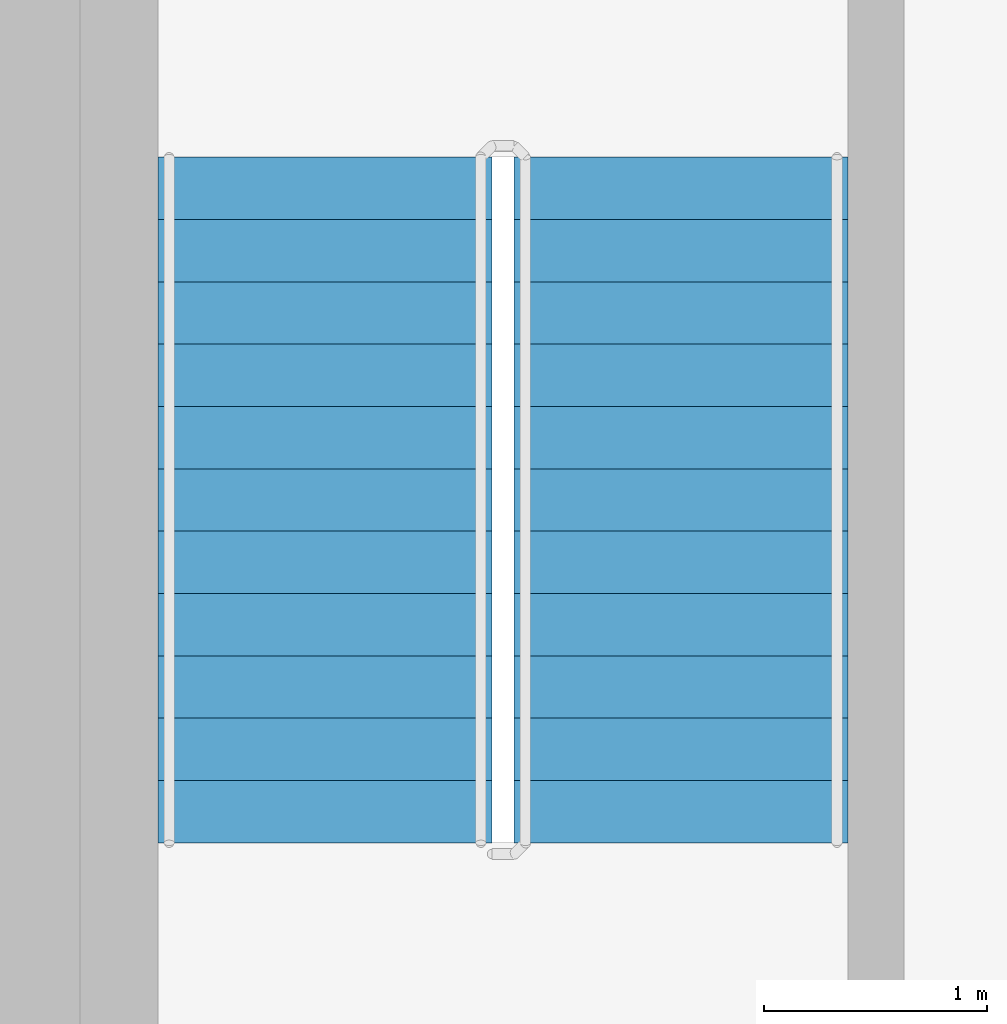
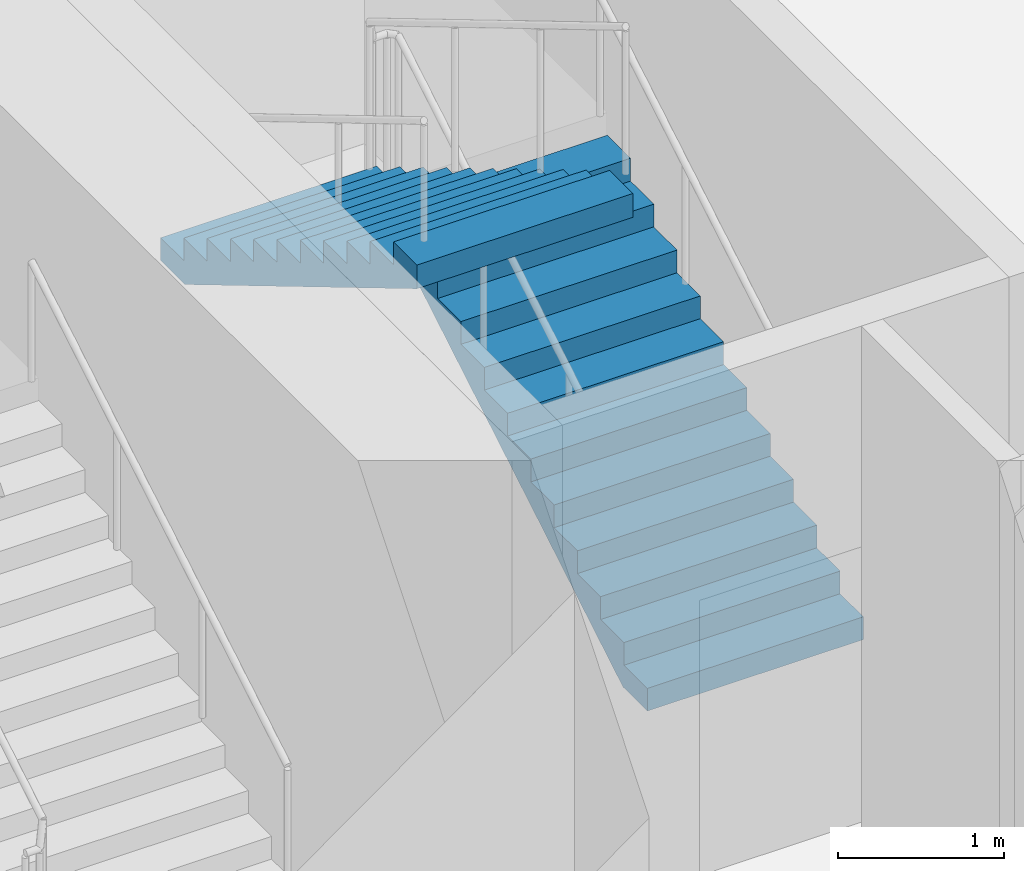
# One storey, part 15 of 17: 2 stair flights, 1 element without a shape of its own.
"""IFC4 building model written with IfcOpenShell, lengths in metres."""

from ifc_helpers import new_model, si_unit, direction, frame, origin, place, context, subcontext, project, spatial, triangles, source, transform, mapped, material, type_object, element, aggregate, save


model = new_model("IFC4")

# Units and contexts
model_context = context("Model", 3, precision=1e-05, world=origin(), true_north=direction((0.0, 1.0)))
body_context = subcontext(model_context, "Body", "Model", "MODEL_VIEW")
ifc_project = project(units=[si_unit("LENGTHUNIT", "METRE"), si_unit("AREAUNIT", "SQUARE_METRE"), si_unit("VOLUMEUNIT", "CUBIC_METRE"), si_unit("PLANEANGLEUNIT", "RADIAN"), si_unit("MASSUNIT", "GRAM", prefix="KILO")], contexts=[model_context])

# Site, building, storey
site_placement = place(None, origin())
site = spatial("IfcSite", under=ifc_project, at=site_placement, CompositionType="ELEMENT")
building_placement = place(site_placement, origin())
building = spatial("IfcBuilding", under=site, at=building_placement, Name="Kilnfold Tower and Market Hall", CompositionType="ELEMENT")
storey_placement = place(building_placement, frame((0.0, 0.0, 100.60009765625)))
storey = spatial("IfcBuildingStorey", under=building, at=storey_placement, Name="L23", CompositionType="ELEMENT", Elevation=100.60009765625)

# Stair, stair flights
ifc_material_1 = material(Name="Concrete C40/50", Category="concrete")
stair_type = type_object("IfcStairType", Name="CORE STAIR 1500", PredefinedType="HALF_TURN_STAIR", material=ifc_material_1)
stair_placement = place(storey_placement, origin())
stair = element("IfcStair", 1, at=stair_placement, inside=storey, type_object=stair_type, Name="L23 ST5", PredefinedType="HALF_TURN_STAIR")
ifc_material_2 = material(Name="Concrete C40/50", Category="concrete")
stair_flight_type = type_object("IfcStairFlightType", Name="CORE STAIR FLIGHT 1500", PredefinedType="STRAIGHT", material=ifc_material_2)
shared_shape = source(origin(), body_context, "Body", "Tessellation", [
    triangles([(0.0, 0.75, 0.0), (0.0, 0.65625, 0.0), (0.0, 0.5625, 0.0), (0.0, 0.46875, 0.0), (0.0, 0.375, 0.0), (0.0, 0.28125, 0.0), (0.0, 0.1875, 0.0), (0.0, 0.09375, 0.0), (0.0, 0.0, 0.0), (0.0, -0.09375, 0.0), (0.0, -0.1875, 0.0), (0.0, -0.28125, 0.0), (0.0, -0.375, 0.0), (0.0, -0.46875, 0.0), (0.0, -0.5625, 0.0), (0.0, -0.65625, 0.0), (0.0, -0.75, 0.0), (0.0, 0.75, 0.166748046875), (0.0, 0.65625, 0.166748046875), (0.0, 0.5625, 0.166748046875), (0.0, 0.46875, 0.166748046875), (0.0, 0.375, 0.166748046875), (0.0, 0.28125, 0.166748046875), (0.0, 0.1875, 0.166748046875), (0.0, 0.09375, 0.166748046875), (0.0, 0.0, 0.166748046875), (0.0, -0.09375, 0.166748046875), (0.0, -0.1875, 0.166748046875), (0.0, -0.28125, 0.166748046875), (0.0, -0.375, 0.166748046875), (0.0, -0.46875, 0.166748046875), (0.0, -0.5625, 0.166748046875), (0.0, -0.65625, 0.166748046875), (0.0, -0.75, 0.166748046875), (0.280029296875, 0.75, 0.166748046875), (0.280029296875, 0.65625, 0.166748046875), (0.280029296875, 0.5625, 0.166748046875), (0.280029296875, 0.46875, 0.166748046875), (0.280029296875, 0.375, 0.166748046875), (0.280029296875, 0.28125, 0.166748046875), (0.280029296875, 0.1875, 0.166748046875), (0.280029296875, 0.09375, 0.166748046875), (0.280029296875, 0.0, 0.166748046875), (0.280029296875, -0.09375, 0.166748046875), (0.280029296875, -0.1875, 0.166748046875), (0.280029296875, -0.28125, 0.166748046875), (0.280029296875, -0.375, 0.166748046875), (0.280029296875, -0.46875, 0.166748046875), (0.280029296875, -0.5625, 0.166748046875), (0.280029296875, -0.65625, 0.166748046875), (0.280029296875, -0.75, 0.166748046875), (0.280029296875, 0.75, 0.333251953125), (0.280029296875, 0.65625, 0.333251953125), (0.280029296875, 0.5625, 0.333251953125), (0.280029296875, 0.46875, 0.333251953125), (0.280029296875, 0.375, 0.333251953125), (0.280029296875, 0.28125, 0.333251953125), (0.280029296875, 0.1875, 0.333251953125), (0.280029296875, 0.09375, 0.333251953125), (0.280029296875, 0.0, 0.333251953125), (0.280029296875, -0.09375, 0.333251953125), (0.280029296875, -0.1875, 0.333251953125), (0.280029296875, -0.28125, 0.333251953125), (0.280029296875, -0.375, 0.333251953125), (0.280029296875, -0.46875, 0.333251953125), (0.280029296875, -0.5625, 0.333251953125), (0.280029296875, -0.65625, 0.333251953125), (0.280029296875, -0.75, 0.333251953125), (0.56005859375, 0.75, 0.333251953125), (0.56005859375, 0.65625, 0.333251953125), (0.56005859375, 0.5625, 0.333251953125), (0.56005859375, 0.46875, 0.333251953125), (0.56005859375, 0.375, 0.333251953125), (0.56005859375, 0.28125, 0.333251953125), (0.56005859375, 0.1875, 0.333251953125), (0.56005859375, 0.09375, 0.333251953125), (0.56005859375, 0.0, 0.333251953125), (0.56005859375, -0.09375, 0.333251953125), (0.56005859375, -0.1875, 0.333251953125), (0.56005859375, -0.28125, 0.333251953125), (0.56005859375, -0.375, 0.333251953125), (0.56005859375, -0.46875, 0.333251953125), (0.56005859375, -0.5625, 0.333251953125), (0.56005859375, -0.65625, 0.333251953125), (0.56005859375, -0.75, 0.333251953125), (0.56005859375, 0.75, 0.5), (0.56005859375, 0.65625, 0.5), (0.56005859375, 0.5625, 0.5), (0.56005859375, 0.46875, 0.5), (0.56005859375, 0.375, 0.5), (0.56005859375, 0.28125, 0.5), (0.56005859375, 0.1875, 0.5), (0.56005859375, 0.09375, 0.5), (0.56005859375, 0.0, 0.5), (0.56005859375, -0.09375, 0.5), (0.56005859375, -0.1875, 0.5), (0.56005859375, -0.28125, 0.5), (0.56005859375, -0.375, 0.5), (0.56005859375, -0.46875, 0.5), (0.56005859375, -0.5625, 0.5), (0.56005859375, -0.65625, 0.5), (0.56005859375, -0.75, 0.5), (0.840087890625, 0.75, 0.5), (0.840087890625, 0.65625, 0.5), (0.840087890625, 0.5625, 0.5), (0.840087890625, 0.46875, 0.5), (0.840087890625, 0.375, 0.5), (0.840087890625, 0.28125, 0.5), (0.840087890625, 0.1875, 0.5), (0.840087890625, 0.09375, 0.5), (0.840087890625, 0.0, 0.5), (0.840087890625, -0.09375, 0.5), (0.840087890625, -0.1875, 0.5), (0.840087890625, -0.28125, 0.5), (0.840087890625, -0.375, 0.5), (0.840087890625, -0.46875, 0.5), (0.840087890625, -0.5625, 0.5), (0.840087890625, -0.65625, 0.5), (0.840087890625, -0.75, 0.5), (0.840087890625, 0.75, 0.666748046875), (0.840087890625, 0.65625, 0.666748046875), (0.840087890625, 0.5625, 0.666748046875), (0.840087890625, 0.46875, 0.666748046875), (0.840087890625, 0.375, 0.666748046875), (0.840087890625, 0.28125, 0.666748046875), (0.840087890625, 0.1875, 0.666748046875), (0.840087890625, 0.09375, 0.666748046875), (0.840087890625, 0.0, 0.666748046875), (0.840087890625, -0.09375, 0.666748046875), (0.840087890625, -0.1875, 0.666748046875), (0.840087890625, -0.28125, 0.666748046875), (0.840087890625, -0.375, 0.666748046875), (0.840087890625, -0.46875, 0.666748046875), (0.840087890625, -0.5625, 0.666748046875), (0.840087890625, -0.65625, 0.666748046875), (0.840087890625, -0.75, 0.666748046875), (1.1201171875, 0.75, 0.666748046875), (1.1201171875, 0.65625, 0.666748046875), (1.1201171875, 0.5625, 0.666748046875), (1.1201171875, 0.46875, 0.666748046875), (1.1201171875, 0.375, 0.666748046875), (1.1201171875, 0.28125, 0.666748046875), (1.1201171875, 0.1875, 0.666748046875), (1.1201171875, 0.09375, 0.666748046875), (1.1201171875, 0.0, 0.666748046875), (1.1201171875, -0.09375, 0.666748046875), (1.1201171875, -0.1875, 0.666748046875), (1.1201171875, -0.28125, 0.666748046875), (1.1201171875, -0.375, 0.666748046875), (1.1201171875, -0.46875, 0.666748046875), (1.1201171875, -0.5625, 0.666748046875), (1.1201171875, -0.65625, 0.666748046875), (1.1201171875, -0.75, 0.666748046875), (1.1201171875, 0.75, 0.833251953125), (1.1201171875, 0.65625, 0.833251953125), (1.1201171875, 0.5625, 0.833251953125), (1.1201171875, 0.46875, 0.833251953125), (1.1201171875, 0.375, 0.833251953125), (1.1201171875, 0.28125, 0.833251953125), (1.1201171875, 0.1875, 0.833251953125), (1.1201171875, 0.09375, 0.833251953125), (1.1201171875, 0.0, 0.833251953125), (1.1201171875, -0.09375, 0.833251953125), (1.1201171875, -0.1875, 0.833251953125), (1.1201171875, -0.28125, 0.833251953125), (1.1201171875, -0.375, 0.833251953125), (1.1201171875, -0.46875, 0.833251953125), (1.1201171875, -0.5625, 0.833251953125), (1.1201171875, -0.65625, 0.833251953125), (1.1201171875, -0.75, 0.833251953125), (1.39990234375, 0.75, 0.833251953125), (1.39990234375, 0.65625, 0.833251953125), (1.39990234375, 0.5625, 0.833251953125), (1.39990234375, 0.46875, 0.833251953125), (1.39990234375, 0.375, 0.833251953125), (1.39990234375, 0.28125, 0.833251953125), (1.39990234375, 0.1875, 0.833251953125), (1.39990234375, 0.09375, 0.833251953125), (1.39990234375, 0.0, 0.833251953125), (1.39990234375, -0.09375, 0.833251953125), (1.39990234375, -0.1875, 0.833251953125), (1.39990234375, -0.28125, 0.833251953125), (1.39990234375, -0.375, 0.833251953125), (1.39990234375, -0.46875, 0.833251953125), (1.39990234375, -0.5625, 0.833251953125), (1.39990234375, -0.65625, 0.833251953125), (1.39990234375, -0.75, 0.833251953125), (1.39990234375, 0.75, 1.0), (1.39990234375, 0.65625, 1.0), (1.39990234375, 0.5625, 1.0), (1.39990234375, 0.46875, 1.0), (1.39990234375, 0.375, 1.0), (1.39990234375, 0.28125, 1.0), (1.39990234375, 0.1875, 1.0), (1.39990234375, 0.09375, 1.0), (1.39990234375, 0.0, 1.0), (1.39990234375, -0.09375, 1.0), (1.39990234375, -0.1875, 1.0), (1.39990234375, -0.28125, 1.0), (1.39990234375, -0.375, 1.0), (1.39990234375, -0.46875, 1.0), (1.39990234375, -0.5625, 1.0), (1.39990234375, -0.65625, 1.0), (1.39990234375, -0.75, 1.0), (1.679931640625, 0.75, 1.0), (1.679931640625, 0.65625, 1.0), (1.679931640625, 0.5625, 1.0), (1.679931640625, 0.46875, 1.0), (1.679931640625, 0.375, 1.0), (1.679931640625, 0.28125, 1.0), (1.679931640625, 0.1875, 1.0), (1.679931640625, 0.09375, 1.0), (1.679931640625, 0.0, 1.0), (1.679931640625, -0.09375, 1.0), (1.679931640625, -0.1875, 1.0), (1.679931640625, -0.28125, 1.0), (1.679931640625, -0.375, 1.0), (1.679931640625, -0.46875, 1.0), (1.679931640625, -0.5625, 1.0), (1.679931640625, -0.65625, 1.0), (1.679931640625, -0.75, 1.0), (1.679931640625, 0.75, 1.166748046875), (1.679931640625, 0.65625, 1.166748046875), (1.679931640625, 0.5625, 1.166748046875), (1.679931640625, 0.46875, 1.166748046875), (1.679931640625, 0.375, 1.166748046875), (1.679931640625, 0.28125, 1.166748046875), (1.679931640625, 0.1875, 1.166748046875), (1.679931640625, 0.09375, 1.166748046875), (1.679931640625, 0.0, 1.166748046875), (1.679931640625, -0.09375, 1.166748046875), (1.679931640625, -0.1875, 1.166748046875), (1.679931640625, -0.28125, 1.166748046875), (1.679931640625, -0.375, 1.166748046875), (1.679931640625, -0.46875, 1.166748046875), (1.679931640625, -0.5625, 1.166748046875), (1.679931640625, -0.65625, 1.166748046875), (1.679931640625, -0.75, 1.166748046875), (1.9599609375, 0.75, 1.166748046875), (1.9599609375, 0.65625, 1.166748046875), (1.9599609375, 0.5625, 1.166748046875), (1.9599609375, 0.46875, 1.166748046875), (1.9599609375, 0.375, 1.166748046875), (1.9599609375, 0.28125, 1.166748046875), (1.9599609375, 0.1875, 1.166748046875), (1.9599609375, 0.09375, 1.166748046875), (1.9599609375, 0.0, 1.166748046875), (1.9599609375, -0.09375, 1.166748046875), (1.9599609375, -0.1875, 1.166748046875), (1.9599609375, -0.28125, 1.166748046875), (1.9599609375, -0.375, 1.166748046875), (1.9599609375, -0.46875, 1.166748046875), (1.9599609375, -0.5625, 1.166748046875), (1.9599609375, -0.65625, 1.166748046875), (1.9599609375, -0.75, 1.166748046875), (1.9599609375, 0.75, 1.333251953125), (1.9599609375, 0.65625, 1.333251953125), (1.9599609375, 0.5625, 1.333251953125), (1.9599609375, 0.46875, 1.333251953125), (1.9599609375, 0.375, 1.333251953125), (1.9599609375, 0.28125, 1.333251953125), (1.9599609375, 0.1875, 1.333251953125), (1.9599609375, 0.09375, 1.333251953125), (1.9599609375, 0.0, 1.333251953125), (1.9599609375, -0.09375, 1.333251953125), (1.9599609375, -0.1875, 1.333251953125), (1.9599609375, -0.28125, 1.333251953125), (1.9599609375, -0.375, 1.333251953125), (1.9599609375, -0.46875, 1.333251953125), (1.9599609375, -0.5625, 1.333251953125), (1.9599609375, -0.65625, 1.333251953125), (1.9599609375, -0.75, 1.333251953125), (2.239990234375, 0.75, 1.333251953125), (2.239990234375, 0.65625, 1.333251953125), (2.239990234375, 0.5625, 1.333251953125), (2.239990234375, 0.46875, 1.333251953125), (2.239990234375, 0.375, 1.333251953125), (2.239990234375, 0.28125, 1.333251953125), (2.239990234375, 0.1875, 1.333251953125), (2.239990234375, 0.09375, 1.333251953125), (2.239990234375, 0.0, 1.333251953125), (2.239990234375, -0.09375, 1.333251953125), (2.239990234375, -0.1875, 1.333251953125), (2.239990234375, -0.28125, 1.333251953125), (2.239990234375, -0.375, 1.333251953125), (2.239990234375, -0.46875, 1.333251953125), (2.239990234375, -0.5625, 1.333251953125), (2.239990234375, -0.65625, 1.333251953125), (2.239990234375, -0.75, 1.333251953125), (2.239990234375, 0.75, 1.5), (2.239990234375, 0.65625, 1.5), (2.239990234375, 0.5625, 1.5), (2.239990234375, 0.46875, 1.5), (2.239990234375, 0.375, 1.5), (2.239990234375, 0.28125, 1.5), (2.239990234375, 0.1875, 1.5), (2.239990234375, 0.09375, 1.5), (2.239990234375, 0.0, 1.5), (2.239990234375, -0.09375, 1.5), (2.239990234375, -0.1875, 1.5), (2.239990234375, -0.28125, 1.5), (2.239990234375, -0.375, 1.5), (2.239990234375, -0.46875, 1.5), (2.239990234375, -0.5625, 1.5), (2.239990234375, -0.65625, 1.5), (2.239990234375, -0.75, 1.5), (2.52001953125, 0.75, 1.5), (2.52001953125, 0.65625, 1.5), (2.52001953125, 0.5625, 1.5), (2.52001953125, 0.46875, 1.5), (2.52001953125, 0.375, 1.5), (2.52001953125, 0.28125, 1.5), (2.52001953125, 0.1875, 1.5), (2.52001953125, 0.09375, 1.5), (2.52001953125, 0.0, 1.5), (2.52001953125, -0.09375, 1.5), (2.52001953125, -0.1875, 1.5), (2.52001953125, -0.28125, 1.5), (2.52001953125, -0.375, 1.5), (2.52001953125, -0.46875, 1.5), (2.52001953125, -0.5625, 1.5), (2.52001953125, -0.65625, 1.5), (2.52001953125, -0.75, 1.5), (2.52001953125, 0.75, 1.666748046875), (2.52001953125, 0.65625, 1.666748046875), (2.52001953125, 0.5625, 1.666748046875), (2.52001953125, 0.46875, 1.666748046875), (2.52001953125, 0.375, 1.666748046875), (2.52001953125, 0.28125, 1.666748046875), (2.52001953125, 0.1875, 1.666748046875), (2.52001953125, 0.09375, 1.666748046875), (2.52001953125, 0.0, 1.666748046875), (2.52001953125, -0.09375, 1.666748046875), (2.52001953125, -0.1875, 1.666748046875), (2.52001953125, -0.28125, 1.666748046875), (2.52001953125, -0.375, 1.666748046875), (2.52001953125, -0.46875, 1.666748046875), (2.52001953125, -0.5625, 1.666748046875), (2.52001953125, -0.65625, 1.666748046875), (2.52001953125, -0.75, 1.666748046875), (2.800048828125, 0.75, 1.666748046875), (2.800048828125, 0.65625, 1.666748046875), (2.800048828125, 0.5625, 1.666748046875), (2.800048828125, 0.46875, 1.666748046875), (2.800048828125, 0.375, 1.666748046875), (2.800048828125, 0.28125, 1.666748046875), (2.800048828125, 0.1875, 1.666748046875), (2.800048828125, 0.09375, 1.666748046875), (2.800048828125, 0.0, 1.666748046875), (2.800048828125, -0.09375, 1.666748046875), (2.800048828125, -0.1875, 1.666748046875), (2.800048828125, -0.28125, 1.666748046875), (2.800048828125, -0.375, 1.666748046875), (2.800048828125, -0.46875, 1.666748046875), (2.800048828125, -0.5625, 1.666748046875), (2.800048828125, -0.65625, 1.666748046875), (2.800048828125, -0.75, 1.666748046875), (2.800048828125, 0.75, 1.833251953125), (2.800048828125, 0.65625, 1.833251953125), (2.800048828125, 0.5625, 1.833251953125), (2.800048828125, 0.46875, 1.833251953125), (2.800048828125, 0.375, 1.833251953125), (2.800048828125, 0.28125, 1.833251953125), (2.800048828125, 0.1875, 1.833251953125), (2.800048828125, 0.09375, 1.833251953125), (2.800048828125, 0.0, 1.833251953125), (2.800048828125, -0.09375, 1.833251953125), (2.800048828125, -0.1875, 1.833251953125), (2.800048828125, -0.28125, 1.833251953125), (2.800048828125, -0.375, 1.833251953125), (2.800048828125, -0.46875, 1.833251953125), (2.800048828125, -0.5625, 1.833251953125), (2.800048828125, -0.65625, 1.833251953125), (2.800048828125, -0.75, 1.833251953125), (3.080078125, 0.75, 1.833251953125), (3.080078125, 0.65625, 1.833251953125), (3.080078125, 0.5625, 1.833251953125), (3.080078125, 0.46875, 1.833251953125), (3.080078125, 0.375, 1.833251953125), (3.080078125, 0.28125, 1.833251953125), (3.080078125, 0.1875, 1.833251953125), (3.080078125, 0.09375, 1.833251953125), (3.080078125, 0.0, 1.833251953125), (3.080078125, -0.09375, 1.833251953125), (3.080078125, -0.1875, 1.833251953125), (3.080078125, -0.28125, 1.833251953125), (3.080078125, -0.375, 1.833251953125), (3.080078125, -0.46875, 1.833251953125), (3.080078125, -0.5625, 1.833251953125), (3.080078125, -0.65625, 1.833251953125), (3.080078125, -0.75, 1.833251953125), (3.080078125, 0.75, 1.658935546875), (3.080078125, 0.65625, 1.658935546875), (3.080078125, 0.5625, 1.658935546875), (3.080078125, 0.46875, 1.658935546875), (3.080078125, 0.375, 1.658935546875), (3.080078125, 0.28125, 1.658935546875), (3.080078125, 0.1875, 1.658935546875), (3.080078125, 0.09375, 1.658935546875), (3.080078125, 0.0, 1.658935546875), (3.080078125, -0.09375, 1.658935546875), (3.080078125, -0.1875, 1.658935546875), (3.080078125, -0.28125, 1.658935546875), (3.080078125, -0.375, 1.658935546875), (3.080078125, -0.46875, 1.658935546875), (3.080078125, -0.5625, 1.658935546875), (3.080078125, -0.65625, 1.658935546875), (3.080078125, -0.75, 1.658935546875), (0.29296875, 0.75, 0.0), (0.29296875, 0.65625, 0.0), (0.29296875, 0.5625, 0.0), (0.29296875, 0.46875, 0.0), (0.29296875, 0.375, 0.0), (0.29296875, 0.28125, 0.0), (0.29296875, 0.1875, 0.0), (0.29296875, 0.09375, 0.0), (0.29296875, 0.0, 0.0), (0.29296875, -0.09375, 0.0), (0.29296875, -0.1875, 0.0), (0.29296875, -0.28125, 0.0), (0.29296875, -0.375, 0.0), (0.29296875, -0.46875, 0.0), (0.29296875, -0.5625, 0.0), (0.29296875, -0.65625, 0.0), (0.29296875, -0.75, 0.0)], [[1, 392, 409], [17, 425, 408], [392, 358, 375], [408, 391, 374], [392, 341, 358], [408, 374, 357], [392, 324, 341], [408, 357, 340], [392, 307, 324], [408, 340, 323], [307, 273, 290], [323, 306, 289], [392, 273, 307], [408, 323, 289], [273, 239, 256], [289, 272, 255], [392, 239, 273], [408, 289, 255], [239, 205, 222], [255, 238, 221], [392, 205, 239], [408, 255, 221], [205, 171, 188], [221, 204, 187], [392, 171, 205], [408, 221, 187], [171, 137, 154], [187, 170, 153], [392, 137, 171], [408, 187, 153], [137, 103, 120], [153, 136, 119], [392, 103, 137], [408, 153, 119], [103, 69, 86], [119, 102, 85], [392, 69, 103], [408, 119, 85], [1, 69, 392], [17, 408, 85], [69, 35, 52], [85, 68, 51], [1, 35, 69], [17, 85, 51], [35, 1, 18], [51, 34, 17], [1, 19, 18], [1, 2, 19], [2, 20, 19], [2, 3, 20], [3, 21, 20], [3, 4, 21], [4, 22, 21], [4, 5, 22], [5, 23, 22], [5, 6, 23], [6, 24, 23], [6, 7, 24], [7, 25, 24], [7, 8, 25], [8, 26, 25], [8, 9, 26], [9, 27, 26], [9, 10, 27], [10, 28, 27], [10, 11, 28], [11, 29, 28], [11, 12, 29], [12, 30, 29], [12, 13, 30], [13, 31, 30], [13, 14, 31], [14, 32, 31], [14, 15, 32], [15, 33, 32], [15, 16, 33], [16, 34, 33], [16, 17, 34], [18, 36, 35], [18, 19, 36], [19, 37, 36], [19, 20, 37], [20, 38, 37], [20, 21, 38], [21, 39, 38], [21, 22, 39], [22, 40, 39], [22, 23, 40], [23, 41, 40], [23, 24, 41], [24, 42, 41], [24, 25, 42], [25, 43, 42], [25, 26, 43], [26, 44, 43], [26, 27, 44], [27, 45, 44], [27, 28, 45], [28, 46, 45], [28, 29, 46], [29, 47, 46], [29, 30, 47], [30, 48, 47], [30, 31, 48], [31, 49, 48], [31, 32, 49], [32, 50, 49], [32, 33, 50], [33, 51, 50], [33, 34, 51], [35, 53, 52], [35, 36, 53], [36, 54, 53], [36, 37, 54], [37, 55, 54], [37, 38, 55], [38, 56, 55], [38, 39, 56], [39, 57, 56], [39, 40, 57], [40, 58, 57], [40, 41, 58], [41, 59, 58], [41, 42, 59], [42, 60, 59], [42, 43, 60], [43, 61, 60], [43, 44, 61], [44, 62, 61], [44, 45, 62], [45, 63, 62], [45, 46, 63], [46, 64, 63], [46, 47, 64], [47, 65, 64], [47, 48, 65], [48, 66, 65], [48, 49, 66], [49, 67, 66], [49, 50, 67], [50, 68, 67], [50, 51, 68], [52, 70, 69], [52, 53, 70], [53, 71, 70], [53, 54, 71], [54, 72, 71], [54, 55, 72], [55, 73, 72], [55, 56, 73], [56, 74, 73], [56, 57, 74], [57, 75, 74], [57, 58, 75], [58, 76, 75], [58, 59, 76], [59, 77, 76], [59, 60, 77], [60, 78, 77], [60, 61, 78], [61, 79, 78], [61, 62, 79], [62, 80, 79], [62, 63, 80], [63, 81, 80], [63, 64, 81], [64, 82, 81], [64, 65, 82], [65, 83, 82], [65, 66, 83], [66, 84, 83], [66, 67, 84], [67, 85, 84], [67, 68, 85], [69, 87, 86], [69, 70, 87], [70, 88, 87], [70, 71, 88], [71, 89, 88], [71, 72, 89], [72, 90, 89], [72, 73, 90], [73, 91, 90], [73, 74, 91], [74, 92, 91], [74, 75, 92], [75, 93, 92], [75, 76, 93], [76, 94, 93], [76, 77, 94], [77, 95, 94], [77, 78, 95], [78, 96, 95], [78, 79, 96], [79, 97, 96], [79, 80, 97], [80, 98, 97], [80, 81, 98], [81, 99, 98], [81, 82, 99], [82, 100, 99], [82, 83, 100], [83, 101, 100], [83, 84, 101], [84, 102, 101], [84, 85, 102], [86, 104, 103], [86, 87, 104], [87, 105, 104], [87, 88, 105], [88, 106, 105], [88, 89, 106], [89, 107, 106], [89, 90, 107], [90, 108, 107], [90, 91, 108], [91, 109, 108], [91, 92, 109], [92, 110, 109], [92, 93, 110], [93, 111, 110], [93, 94, 111], [94, 112, 111], [94, 95, 112], [95, 113, 112], [95, 96, 113], [96, 114, 113], [96, 97, 114], [97, 115, 114], [97, 98, 115], [98, 116, 115], [98, 99, 116], [99, 117, 116], [99, 100, 117], [100, 118, 117], [100, 101, 118], [101, 119, 118], [101, 102, 119], [103, 121, 120], [103, 104, 121], [104, 122, 121], [104, 105, 122], [105, 123, 122], [105, 106, 123], [106, 124, 123], [106, 107, 124], [107, 125, 124], [107, 108, 125], [108, 126, 125], [108, 109, 126], [109, 127, 126], [109, 110, 127], [110, 128, 127], [110, 111, 128], [111, 129, 128], [111, 112, 129], [112, 130, 129], [112, 113, 130], [113, 131, 130], [113, 114, 131], [114, 132, 131], [114, 115, 132], [115, 133, 132], [115, 116, 133], [116, 134, 133], [116, 117, 134], [117, 135, 134], [117, 118, 135], [118, 136, 135], [118, 119, 136], [120, 138, 137], [120, 121, 138], [121, 139, 138], [121, 122, 139], [122, 140, 139], [122, 123, 140], [123, 141, 140], [123, 124, 141], [124, 142, 141], [124, 125, 142], [125, 143, 142], [125, 126, 143], [126, 144, 143], [126, 127, 144], [127, 145, 144], [127, 128, 145], [128, 146, 145], [128, 129, 146], [129, 147, 146], [129, 130, 147], [130, 148, 147], [130, 131, 148], [131, 149, 148], [131, 132, 149], [132, 150, 149], [132, 133, 150], [133, 151, 150], [133, 134, 151], [134, 152, 151], [134, 135, 152], [135, 153, 152], [135, 136, 153], [137, 155, 154], [137, 138, 155], [138, 156, 155], [138, 139, 156], [139, 157, 156], [139, 140, 157], [140, 158, 157], [140, 141, 158], [141, 159, 158], [141, 142, 159], [142, 160, 159], [142, 143, 160], [143, 161, 160], [143, 144, 161], [144, 162, 161], [144, 145, 162], [145, 163, 162], [145, 146, 163], [146, 164, 163], [146, 147, 164], [147, 165, 164], [147, 148, 165], [148, 166, 165], [148, 149, 166], [149, 167, 166], [149, 150, 167], [150, 168, 167], [150, 151, 168], [151, 169, 168], [151, 152, 169], [152, 170, 169], [152, 153, 170], [154, 172, 171], [154, 155, 172], [155, 173, 172], [155, 156, 173], [156, 174, 173], [156, 157, 174], [157, 175, 174], [157, 158, 175], [158, 176, 175], [158, 159, 176], [159, 177, 176], [159, 160, 177], [160, 178, 177], [160, 161, 178], [161, 179, 178], [161, 162, 179], [162, 180, 179], [162, 163, 180], [163, 181, 180], [163, 164, 181], [164, 182, 181], [164, 165, 182], [165, 183, 182], [165, 166, 183], [166, 184, 183], [166, 167, 184], [167, 185, 184], [167, 168, 185], [168, 186, 185], [168, 169, 186], [169, 187, 186], [169, 170, 187], [171, 189, 188], [171, 172, 189], [172, 190, 189], [172, 173, 190], [173, 191, 190], [173, 174, 191], [174, 192, 191], [174, 175, 192], [175, 193, 192], [175, 176, 193], [176, 194, 193], [176, 177, 194], [177, 195, 194], [177, 178, 195], [178, 196, 195], [178, 179, 196], [179, 197, 196], [179, 180, 197], [180, 198, 197], [180, 181, 198], [181, 199, 198], [181, 182, 199], [182, 200, 199], [182, 183, 200], [183, 201, 200], [183, 184, 201], [184, 202, 201], [184, 185, 202], [185, 203, 202], [185, 186, 203], [186, 204, 203], [186, 187, 204], [188, 206, 205], [188, 189, 206], [189, 207, 206], [189, 190, 207], [190, 208, 207], [190, 191, 208], [191, 209, 208], [191, 192, 209], [192, 210, 209], [192, 193, 210], [193, 211, 210], [193, 194, 211], [194, 212, 211], [194, 195, 212], [195, 213, 212], [195, 196, 213], [196, 214, 213], [196, 197, 214], [197, 215, 214], [197, 198, 215], [198, 216, 215], [198, 199, 216], [199, 217, 216], [199, 200, 217], [200, 218, 217], [200, 201, 218], [201, 219, 218], [201, 202, 219], [202, 220, 219], [202, 203, 220], [203, 221, 220], [203, 204, 221], [205, 223, 222], [205, 206, 223], [206, 224, 223], [206, 207, 224], [207, 225, 224], [207, 208, 225], [208, 226, 225], [208, 209, 226], [209, 227, 226], [209, 210, 227], [210, 228, 227], [210, 211, 228], [211, 229, 228], [211, 212, 229], [212, 230, 229], [212, 213, 230], [213, 231, 230], [213, 214, 231], [214, 232, 231], [214, 215, 232], [215, 233, 232], [215, 216, 233], [216, 234, 233], [216, 217, 234], [217, 235, 234], [217, 218, 235], [218, 236, 235], [218, 219, 236], [219, 237, 236], [219, 220, 237], [220, 238, 237], [220, 221, 238], [222, 240, 239], [222, 223, 240], [223, 241, 240], [223, 224, 241], [224, 242, 241], [224, 225, 242], [225, 243, 242], [225, 226, 243], [226, 244, 243], [226, 227, 244], [227, 245, 244], [227, 228, 245], [228, 246, 245], [228, 229, 246], [229, 247, 246], [229, 230, 247], [230, 248, 247], [230, 231, 248], [231, 249, 248], [231, 232, 249], [232, 250, 249], [232, 233, 250], [233, 251, 250], [233, 234, 251], [234, 252, 251], [234, 235, 252], [235, 253, 252], [235, 236, 253], [236, 254, 253], [236, 237, 254], [237, 255, 254], [237, 238, 255], [239, 257, 256], [239, 240, 257], [240, 258, 257], [240, 241, 258], [241, 259, 258], [241, 242, 259], [242, 260, 259], [242, 243, 260], [243, 261, 260], [243, 244, 261], [244, 262, 261], [244, 245, 262], [245, 263, 262], [245, 246, 263], [246, 264, 263], [246, 247, 264], [247, 265, 264], [247, 248, 265], [248, 266, 265], [248, 249, 266], [249, 267, 266], [249, 250, 267], [250, 268, 267], [250, 251, 268], [251, 269, 268], [251, 252, 269], [252, 270, 269], [252, 253, 270], [253, 271, 270], [253, 254, 271], [254, 272, 271], [254, 255, 272], [256, 274, 273], [256, 257, 274], [257, 275, 274], [257, 258, 275], [258, 276, 275], [258, 259, 276], [259, 277, 276], [259, 260, 277], [260, 278, 277], [260, 261, 278], [261, 279, 278], [261, 262, 279], [262, 280, 279], [262, 263, 280], [263, 281, 280], [263, 264, 281], [264, 282, 281], [264, 265, 282], [265, 283, 282], [265, 266, 283], [266, 284, 283], [266, 267, 284], [267, 285, 284], [267, 268, 285], [268, 286, 285], [268, 269, 286], [269, 287, 286], [269, 270, 287], [270, 288, 287], [270, 271, 288], [271, 289, 288], [271, 272, 289], [273, 291, 290], [273, 274, 291], [274, 292, 291], [274, 275, 292], [275, 293, 292], [275, 276, 293], [276, 294, 293], [276, 277, 294], [277, 295, 294], [277, 278, 295], [278, 296, 295], [278, 279, 296], [279, 297, 296], [279, 280, 297], [280, 298, 297], [280, 281, 298], [281, 299, 298], [281, 282, 299], [282, 300, 299], [282, 283, 300], [283, 301, 300], [283, 284, 301], [284, 302, 301], [284, 285, 302], [285, 303, 302], [285, 286, 303], [286, 304, 303], [286, 287, 304], [287, 305, 304], [287, 288, 305], [288, 306, 305], [288, 289, 306], [290, 308, 307], [290, 291, 308], [291, 309, 308], [291, 292, 309], [292, 310, 309], [292, 293, 310], [293, 311, 310], [293, 294, 311], [294, 312, 311], [294, 295, 312], [295, 313, 312], [295, 296, 313], [296, 314, 313], [296, 297, 314], [297, 315, 314], [297, 298, 315], [298, 316, 315], [298, 299, 316], [299, 317, 316], [299, 300, 317], [300, 318, 317], [300, 301, 318], [301, 319, 318], [301, 302, 319], [302, 320, 319], [302, 303, 320], [303, 321, 320], [303, 304, 321], [304, 322, 321], [304, 305, 322], [305, 323, 322], [305, 306, 323], [307, 325, 324], [307, 308, 325], [308, 326, 325], [308, 309, 326], [309, 327, 326], [309, 310, 327], [310, 328, 327], [310, 311, 328], [311, 329, 328], [311, 312, 329], [312, 330, 329], [312, 313, 330], [313, 331, 330], [313, 314, 331], [314, 332, 331], [314, 315, 332], [315, 333, 332], [315, 316, 333], [316, 334, 333], [316, 317, 334], [317, 335, 334], [317, 318, 335], [318, 336, 335], [318, 319, 336], [319, 337, 336], [319, 320, 337], [320, 338, 337], [320, 321, 338], [321, 339, 338], [321, 322, 339], [322, 340, 339], [322, 323, 340], [324, 342, 341], [324, 325, 342], [325, 343, 342], [325, 326, 343], [326, 344, 343], [326, 327, 344], [327, 345, 344], [327, 328, 345], [328, 346, 345], [328, 329, 346], [329, 347, 346], [329, 330, 347], [330, 348, 347], [330, 331, 348], [331, 349, 348], [331, 332, 349], [332, 350, 349], [332, 333, 350], [333, 351, 350], [333, 334, 351], [334, 352, 351], [334, 335, 352], [335, 353, 352], [335, 336, 353], [336, 354, 353], [336, 337, 354], [337, 355, 354], [337, 338, 355], [338, 356, 355], [338, 339, 356], [339, 357, 356], [339, 340, 357], [341, 359, 358], [341, 342, 359], [342, 360, 359], [342, 343, 360], [343, 361, 360], [343, 344, 361], [344, 362, 361], [344, 345, 362], [345, 363, 362], [345, 346, 363], [346, 364, 363], [346, 347, 364], [347, 365, 364], [347, 348, 365], [348, 366, 365], [348, 349, 366], [349, 367, 366], [349, 350, 367], [350, 368, 367], [350, 351, 368], [351, 369, 368], [351, 352, 369], [352, 370, 369], [352, 353, 370], [353, 371, 370], [353, 354, 371], [354, 372, 371], [354, 355, 372], [355, 373, 372], [355, 356, 373], [356, 374, 373], [356, 357, 374], [358, 376, 375], [358, 359, 376], [359, 377, 376], [359, 360, 377], [360, 378, 377], [360, 361, 378], [361, 379, 378], [361, 362, 379], [362, 380, 379], [362, 363, 380], [363, 381, 380], [363, 364, 381], [364, 382, 381], [364, 365, 382], [365, 383, 382], [365, 366, 383], [366, 384, 383], [366, 367, 384], [367, 385, 384], [367, 368, 385], [368, 386, 385], [368, 369, 386], [369, 387, 386], [369, 370, 387], [370, 388, 387], [370, 371, 388], [371, 389, 388], [371, 372, 389], [372, 390, 389], [372, 373, 390], [373, 391, 390], [373, 374, 391], [375, 393, 392], [375, 376, 393], [376, 394, 393], [376, 377, 394], [377, 395, 394], [377, 378, 395], [378, 396, 395], [378, 379, 396], [379, 397, 396], [379, 380, 397], [380, 398, 397], [380, 381, 398], [381, 399, 398], [381, 382, 399], [382, 400, 399], [382, 383, 400], [383, 401, 400], [383, 384, 401], [384, 402, 401], [384, 385, 402], [385, 403, 402], [385, 386, 403], [386, 404, 403], [386, 387, 404], [387, 405, 404], [387, 388, 405], [388, 406, 405], [388, 389, 406], [389, 407, 406], [389, 390, 407], [390, 408, 407], [390, 391, 408], [392, 410, 409], [392, 393, 410], [393, 411, 410], [393, 394, 411], [394, 412, 411], [394, 395, 412], [395, 413, 412], [395, 396, 413], [396, 414, 413], [396, 397, 414], [397, 415, 414], [397, 398, 415], [398, 416, 415], [398, 399, 416], [399, 417, 416], [399, 400, 417], [400, 418, 417], [400, 401, 418], [401, 419, 418], [401, 402, 419], [402, 420, 419], [402, 403, 420], [403, 421, 420], [403, 404, 421], [404, 422, 421], [404, 405, 422], [405, 423, 422], [405, 406, 423], [406, 424, 423], [406, 407, 424], [407, 425, 424], [407, 408, 425], [409, 2, 1], [409, 410, 2], [410, 3, 2], [410, 411, 3], [411, 4, 3], [411, 412, 4], [412, 5, 4], [412, 413, 5], [413, 6, 5], [413, 414, 6], [414, 7, 6], [414, 415, 7], [415, 8, 7], [415, 416, 8], [416, 9, 8], [416, 417, 9], [417, 10, 9], [417, 418, 10], [418, 11, 10], [418, 419, 11], [419, 12, 11], [419, 420, 12], [420, 13, 12], [420, 421, 13], [421, 14, 13], [421, 422, 14], [422, 15, 14], [422, 423, 15], [423, 16, 15], [423, 424, 16], [424, 17, 16], [424, 425, 17]], closed=True),
])
stair_flight_1_placement = place(storey_placement, frame((20.699951171875, 11.5, 0.0), z_axis=(0.0, 0.0, 1.0), x_axis=(0.0, 1.0, 0.0)))
stair_flight_1 = element("IfcStairFlight", 2, at=stair_flight_1_placement, type_object=stair_flight_type, Name="ST5 flight 1", NumberOfRisers=12, NumberOfTreads=11, PredefinedType="STRAIGHT", RiserHeight=0.166666667, TreadLength=0.28, context=body_context, shape_type="MappedRepresentation", body=[
    mapped(shared_shape, transform((0.0, 0.0, 0.0))),
])
stair_flight_2_placement = place(storey_placement, frame((19.10009765625, 14.580078125, 2.0), z_axis=(0.0, 0.0, 1.0), x_axis=(0.0, -1.0, 0.0)))
stair_flight_2 = element("IfcStairFlight", 3, at=stair_flight_2_placement, type_object=stair_flight_type, Name="ST5 flight 2", NumberOfRisers=12, NumberOfTreads=11, PredefinedType="STRAIGHT", RiserHeight=0.166666667, TreadLength=0.28, context=body_context, shape_type="MappedRepresentation", body=[
    mapped(shared_shape, transform((0.0, 0.0, 0.0))),
])
aggregate(stair, [stair_flight_1, stair_flight_2])

save(model, "model.ifc")
